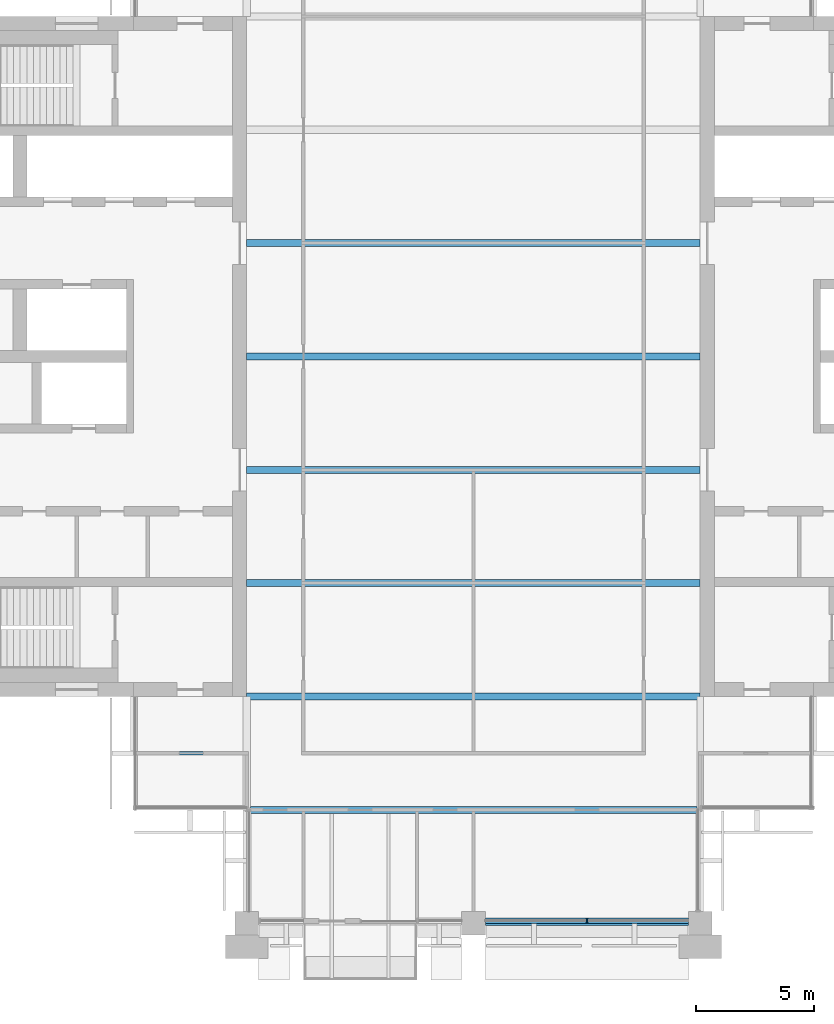
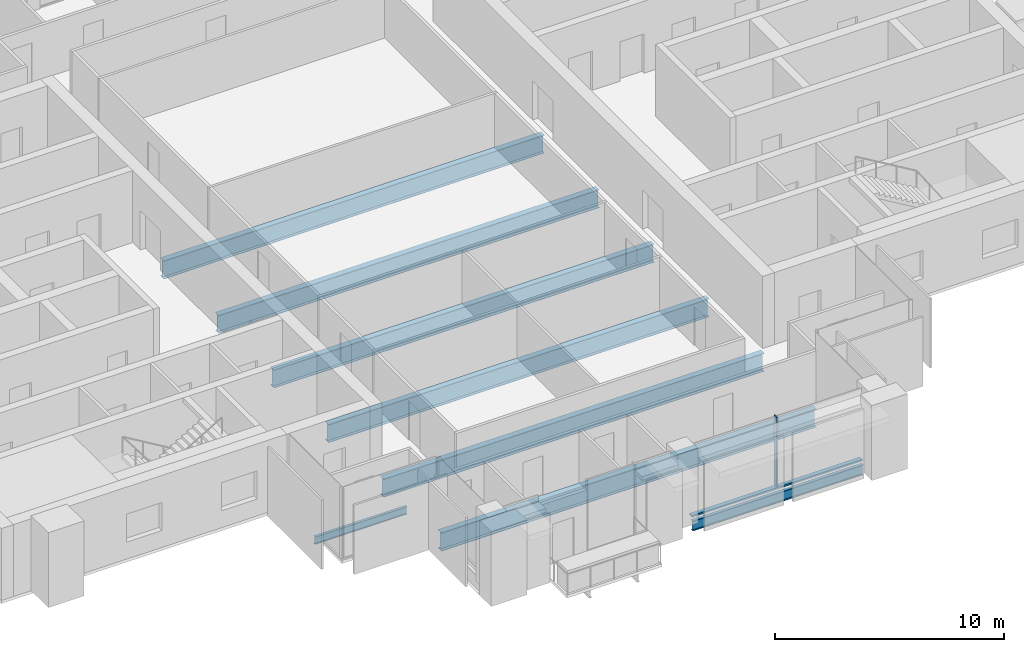
# One storey, part 3 of 13: 8 beams, 2 members, 1 element without a shape of its own.
"""IFC4 building model written with IfcOpenShell, lengths in metres."""

from ifc_helpers import new_model, si_unit, direction, frame, origin, origin_2d, place, context, subcontext, project, spatial, rectangle, i_section, extrude, material, material_profile, profile_set, type_object, element, aggregate, save


model = new_model("IFC4")

# Units and contexts
model_context = context("Model", 3, precision=1e-05, world=origin(), true_north=direction((0.0, 1.0)))
body_context = subcontext(model_context, "Body", "Model", "MODEL_VIEW")
ifc_project = project(units=[si_unit("LENGTHUNIT", "METRE"), si_unit("AREAUNIT", "SQUARE_METRE"), si_unit("VOLUMEUNIT", "CUBIC_METRE"), si_unit("PLANEANGLEUNIT", "RADIAN"), si_unit("MASSUNIT", "GRAM", prefix="KILO")], contexts=[model_context])

# Site, building, storey
site_placement = place(None, origin())
site = spatial("IfcSite", under=ifc_project, at=site_placement, CompositionType="ELEMENT")
building_placement = place(site_placement, origin())
building = spatial("IfcBuilding", under=site, at=building_placement, Name="Baori Bourse Tower", CompositionType="ELEMENT")
storey_placement = place(building_placement, frame((0.0, 0.0, 338.300048828125)))
storey = spatial("IfcBuildingStorey", under=building, at=storey_placement, Name="L75", CompositionType="ELEMENT", Elevation=338.300048828125)

# Curtain wall, members
ifc_material_1 = material(Name="Pale anodised aluminium", Category="aluminium")
curtain_wall_type = type_object("IfcCurtainWallType", Name="CW5 Curtain wall", PredefinedType="NOTDEFINED", material=ifc_material_1)
curtain_wall_placement = place(storey_placement, origin())
curtain_wall = element("IfcCurtainWall", 1, at=curtain_wall_placement, inside=storey, type_object=curtain_wall_type, Name="Curtain wall CW5 L75 15", PredefinedType="NOTDEFINED")
ifc_material_2 = material(Name="Pale anodised aluminium", Category="aluminium")
ifc_material_profile_1 = material_profile(ifc_material_2, rectangle(XDim=0.219970703125, YDim=0.06494140625, at=origin_2d()), Name="Mullion 65x220")
ifc_profile_set_1 = profile_set([ifc_material_profile_1], Name="Pale anodised aluminium")
member_type_1 = type_object("IfcMemberType", Name="CW5 Curtain wall mullion", PredefinedType="MULLION", material=ifc_profile_set_1)
member_1_placement = place(storey_placement, frame((33.60009765625, 0.110107421875, 0.0849609375), z_axis=(0.0, 0.0, 1.0), x_axis=(0.0, 1.0, 0.0)))
member_1 = element("IfcMember", 2, at=member_1_placement, type_object=member_type_1, Name="Curtain wall CW5 mullion", PredefinedType="MULLION", context=body_context, shape_type="SweptSolid", body=[
    extrude(rectangle(XDim=0.219970703125, YDim=0.06494140625, at=origin_2d()), origin(), (0.0, 0.0, 1.0), 3.7548828125),
])
ifc_material_3 = material(Name="Pale anodised aluminium", Category="aluminium")
ifc_material_profile_2 = material_profile(ifc_material_3, rectangle(XDim=0.219970703125, YDim=0.0849609375, at=origin_2d()), Name="Transom 85x220")
ifc_profile_set_2 = profile_set([ifc_material_profile_2], Name="Pale anodised aluminium")
member_type_2 = type_object("IfcMemberType", Name="CW5 Curtain wall transom", PredefinedType="USERDEFINED", material=ifc_profile_set_2)
member_2_placement = place(storey_placement, frame((29.300048828125, 0.110107421875, 0.04248046875), z_axis=(1.0, 0.0, 0.0), x_axis=(0.0, 1.0, 0.0)))
member_2 = element("IfcMember", 3, at=member_2_placement, type_object=member_type_2, Name="Curtain wall CW5 sill rail", ObjectType="TRANSOM", PredefinedType="USERDEFINED", context=body_context, shape_type="SweptSolid", body=[
    extrude(rectangle(XDim=0.219970703125, YDim=0.0849609375, at=origin_2d()), origin(), (0.0, 0.0, 1.0), 8.599853515625),
])
aggregate(curtain_wall, [member_2, member_1])

# Beams
ifc_material_4 = material(Name="Steel A992 Gr 50", Category="steel")
ifc_material_profile_3 = material_profile(ifc_material_4, i_section(OverallWidth=0.1650390625, OverallDepth=0.52587890625, WebThickness=0.0087890625, FlangeThickness=0.011474609375, at=origin_2d()), Name="W21x44")
ifc_profile_set_3 = profile_set([ifc_material_profile_3], Name="Steel A992 Gr 50")
beam_type_1 = type_object("IfcBeamType", Name="Edge beam W21x44", PredefinedType="BEAM", material=ifc_profile_set_3)
beam_1_placement = place(storey_placement, frame((29.300048828125, 0.0, -0.4228515625), z_axis=(1.0, 0.0, 0.0), x_axis=(0.0, 1.0, 0.0)))
element("IfcBeam", 4, at=beam_1_placement, inside=storey, type_object=beam_type_1, Name="Edge beam L75", PredefinedType="BEAM", context=body_context, shape_type="SweptSolid", body=[
    extrude(i_section(OverallWidth=0.1650390625, OverallDepth=0.52587890625, WebThickness=0.0087890625, FlangeThickness=0.011474609375, at=origin_2d()), origin(), (0.0, 0.0, 1.0), 8.599853515625),
])
ifc_material_5 = material(Name="Steel A992 Gr 50", Category="steel")
ifc_material_profile_4 = material_profile(ifc_material_5, i_section(OverallWidth=0.2998046875, OverallDepth=0.97021484375, WebThickness=0.01611328125, FlangeThickness=0.02099609375, at=origin_2d()), Name="W40x149")
ifc_profile_set_4 = profile_set([ifc_material_profile_4], Name="Steel A992 Gr 50")
beam_type_2 = type_object("IfcBeamType", Name="Floor beam W40x149", PredefinedType="BEAM", material=ifc_profile_set_4)
for number, where, z_axis, x_axis, name in (
    (5, (19.199951171875, 9.60009765625, -0.645263671875), (1.0, 0.0, 0.0), (0.0, 1.0, 0.0), "Floor beam L75"),
    (6, (19.199951171875, 14.39990234375, -0.645263671875), (1.0, 0.0, 0.0), (0.0, 1.0, 0.0), "Floor beam L75"),
    (7, (19.199951171875, 19.199951171875, -0.645263671875), (1.0, 0.0, 0.0), (0.0, 1.0, 0.0), "Floor beam L75"),
    (8, (19.199951171875, 24.0, -0.645263671875), (1.0, 0.0, 0.0), (0.0, 1.0, 0.0), "Floor beam L75"),
    (9, (19.199951171875, 28.800048828125, -0.645263671875), (1.0, 0.0, 0.0), (0.0, 1.0, 0.0), "Floor beam L75"),
):
    element("IfcBeam", number, at=place(storey_placement, frame(where, z_axis=z_axis, x_axis=x_axis)), inside=storey, type_object=beam_type_2, Name=name, PredefinedType="BEAM", context=body_context, shape_type="SweptSolid", body=[
        extrude(i_section(OverallWidth=0.2998046875, OverallDepth=0.97021484375, WebThickness=0.01611328125, FlangeThickness=0.02099609375, at=origin_2d()), origin(), (0.0, 0.0, 1.0), 19.199951171875),
    ])
ifc_material_6 = material(Name="Steel A992 Gr 50", Category="steel")
ifc_material_profile_5 = material_profile(ifc_material_6, i_section(OverallWidth=0.2998046875, OverallDepth=0.990478515625, WebThickness=0.0166015625, FlangeThickness=0.030517578125, at=origin_2d()), Name="W40x183")
ifc_profile_set_5 = profile_set([ifc_material_profile_5], Name="Steel A992 Gr 50")
beam_type_3 = type_object("IfcBeamType", Name="Floor beam W40x183", PredefinedType="BEAM", material=ifc_profile_set_5)
beam_2_placement = place(storey_placement, frame((19.352294921875, 4.800048828125, -0.6552734375), z_axis=(1.0, 0.0, 0.0), x_axis=(0.0, 1.0, 0.0)))
element("IfcBeam", 10, at=beam_2_placement, inside=storey, type_object=beam_type_3, Name="Floor beam L75", PredefinedType="BEAM", context=body_context, shape_type="SweptSolid", body=[
    extrude(i_section(OverallWidth=0.2998046875, OverallDepth=0.990478515625, WebThickness=0.0166015625, FlangeThickness=0.030517578125, at=origin_2d()), origin(), (0.0, 0.0, 1.0), 18.901611328125),
])
ifc_material_7 = material(Name="Steel A992 Gr 50", Category="steel")
ifc_material_profile_6 = material_profile(ifc_material_7, i_section(OverallWidth=0.140380859375, OverallDepth=0.40380859375, WebThickness=0.007080078125, FlangeThickness=0.01123046875, at=origin_2d()), Name="W16x31")
ifc_profile_set_6 = profile_set([ifc_material_profile_6], Name="Steel A992 Gr 50")
beam_type_4 = type_object("IfcBeamType", Name="Trimmer beam W16x31", PredefinedType="BEAM", material=ifc_profile_set_6)
beam_3_placement = place(storey_placement, frame((14.39990234375, 7.199951171875, -0.362060546875), z_axis=(1.0, 0.0, 0.0), x_axis=(0.0, 1.0, 0.0)))
element("IfcBeam", 11, at=beam_3_placement, inside=storey, type_object=beam_type_4, Name="Trimmer beam L75", PredefinedType="BEAM", context=body_context, shape_type="SweptSolid", body=[
    extrude(i_section(OverallWidth=0.140380859375, OverallDepth=0.40380859375, WebThickness=0.007080078125, FlangeThickness=0.01123046875, at=origin_2d()), origin(), (0.0, 0.0, 1.0), 4.647705078125),
])

save(model, "model.ifc")
